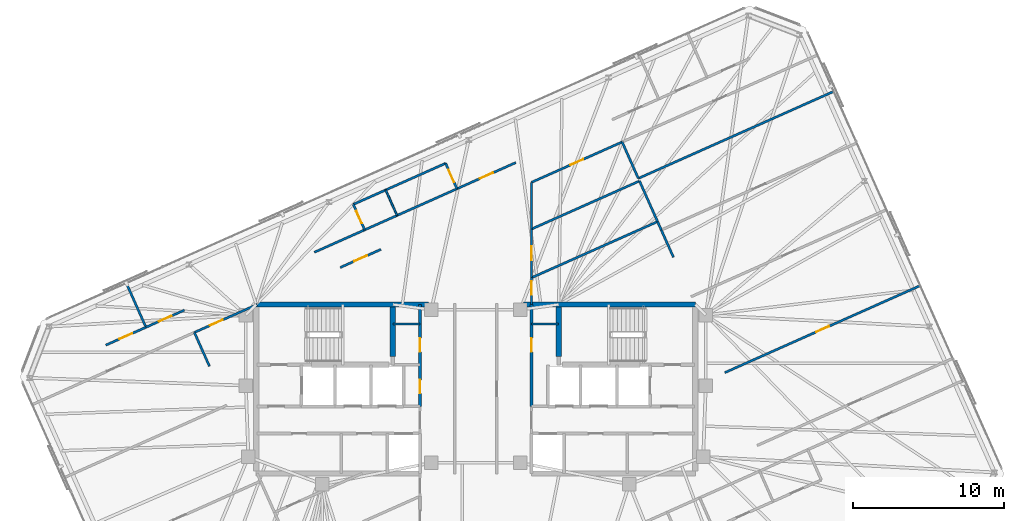
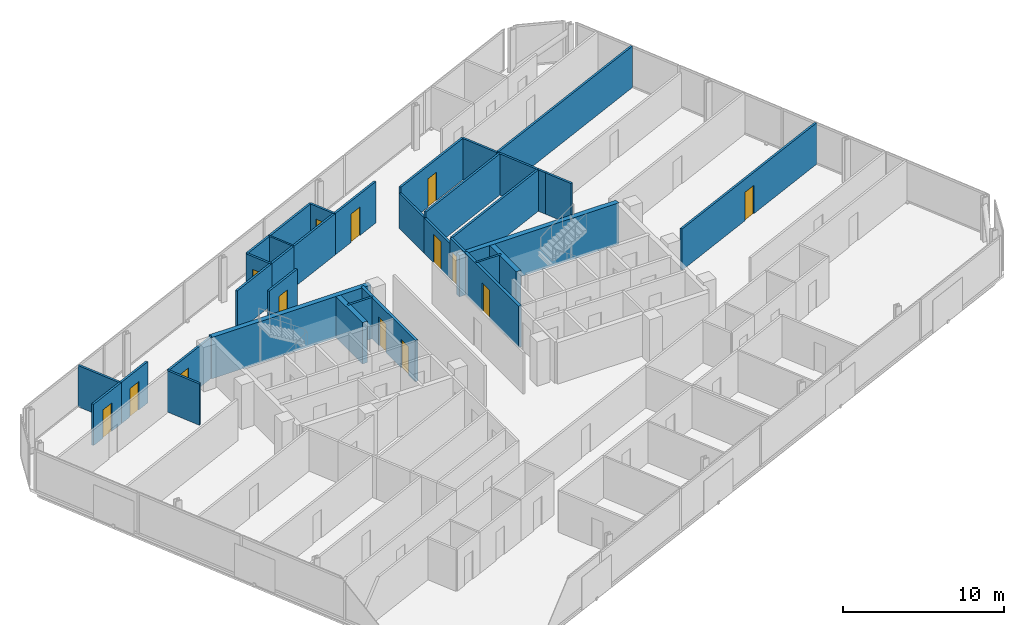
# One storey, part 16 of 19: 35 walls, 14 doors, 14 openings.
"""IFC4 building model written with IfcOpenShell, lengths in metres."""

from ifc_helpers import new_model, si_unit, direction, frame, frame_2d, origin, place, context, subcontext, project, spatial, rectangle, extrude, material, layer, layer_set, type_object, element, fill, save


model = new_model("IFC4")

# Units and contexts
model_context = context("Model", 3, precision=1e-05, world=origin(), true_north=direction((0.0, 1.0)))
body_context = subcontext(model_context, "Body", "Model", "MODEL_VIEW")
ifc_project = project(units=[si_unit("LENGTHUNIT", "METRE"), si_unit("AREAUNIT", "SQUARE_METRE"), si_unit("VOLUMEUNIT", "CUBIC_METRE"), si_unit("PLANEANGLEUNIT", "RADIAN"), si_unit("MASSUNIT", "GRAM", prefix="KILO")], contexts=[model_context])

# Site, building, storey
site_placement = place(None, origin())
site = spatial("IfcSite", under=ifc_project, at=site_placement, CompositionType="ELEMENT")
building_placement = place(site_placement, origin())
building = spatial("IfcBuilding", under=site, at=building_placement, Name="Menara Jurai Vektor", CompositionType="ELEMENT")
storey_placement = place(building_placement, frame((0.0, 0.0, 281.89990234375)))
storey = spatial("IfcBuildingStorey", under=building, at=storey_placement, Name="L75", CompositionType="ELEMENT", Elevation=281.89990234375)

# Walls
ifc_material_1 = material(Name="Gypsum Fireboard Partition", Category="gypsum")
ifc_layer_1 = layer(ifc_material_1, 0.14990234375)
ifc_layer_set_1 = layer_set([ifc_layer_1], Name="Gypsum Fireboard Partition")
wall_type_1 = type_object("IfcWallType", Name="INT-WALL-CORR-150", PredefinedType="PARTITIONING", material=ifc_layer_set_1)
for number, where, z_axis, x_axis, name in (
    (1, (-5.5, 4.300048828125, 0.0), (0.0, 0.0, 1.0), (1.0, 0.0, 0.0), "Interior Wall IW-150 L75"),
    (2, (3.699951171875, 4.300048828125, 0.0), (0.0, 0.0, 1.0), (1.0, 0.0, 0.0), "Interior Wall IW-150 L75"),
):
    element("IfcWall", number, at=place(storey_placement, frame(where, z_axis=z_axis, x_axis=x_axis)), inside=storey, type_object=wall_type_1, Name=name, PredefinedType="PARTITIONING", context=body_context, shape_type="SweptSolid", body=[
        extrude(rectangle(XDim=1.800048828125, YDim=0.14990234375, at=frame_2d((0.89990234375, 0.0))), origin(), (0.0, 0.0, 1.0), 3.125),
    ])
wall_1_placement = place(storey_placement, frame((-10.703369140625, 9.0634765625, 0.0), z_axis=(0.0, 0.0, 1.0), x_axis=(0.913543802, 0.40674036169, 0.0)))
element("IfcWall", 3, at=wall_1_placement, inside=storey, type_object=wall_type_1, Name="Interior Wall IW-150 L75", PredefinedType="PARTITIONING", context=body_context, shape_type="SweptSolid", body=[
    extrude(rectangle(XDim=3.650146484375, YDim=0.14990234375, at=frame_2d((1.8251953125, 0.0))), origin(), (0.0, 0.0, 1.0), 3.125),
])

# Wall, opening, door
wall_2_placement = place(storey_placement, frame((-1.248291015625, 13.273193359375, 0.0), z_axis=(0.0, 0.0, 1.0), x_axis=(0.913549402293, 0.40672778313, 0.0)))
wall_2 = element("IfcWall", 4, at=wall_2_placement, inside=storey, type_object=wall_type_1, Name="Interior Wall IW-150 L75", PredefinedType="PARTITIONING", context=body_context, shape_type="SweptSolid", body=[
    extrude(rectangle(XDim=4.26611328125, YDim=0.14990234375, at=frame_2d((2.133056640625, 0.0))), origin(), (0.0, 0.0, 1.0), 3.125),
])
opening_1_placement = place(wall_2_placement, frame((1.657958984375, 0.0, 0.0)))
opening_1 = element("IfcOpeningElement", 5, at=opening_1_placement, cuts=wall_2, Name="Opening D75-09", PredefinedType="OPENING", context=body_context, shape_type="SweptSolid", body=[
    extrude(rectangle(XDim=0.949951171875, YDim=2.14990234375, at=frame_2d((0.47509765625, 1.074951171875))), frame((0.0, 0.0849609375, 0.0), z_axis=(0.0, -1.0, 0.0), x_axis=(1.0, 0.0, 0.0)), (0.0, 0.0, 1.0), 0.169921875),
])
ifc_material_2 = material(Name="Solid Core Timber Fire Door", Category="wood")
door_type_1 = type_object("IfcDoorType", Name="DR-ENTRY-950", OperationType="NOTDEFINED", PredefinedType="DOOR", material=ifc_material_2)
door_1_placement = place(opening_1_placement, origin())
door_1 = element("IfcDoor", 6, at=door_1_placement, inside=storey, type_object=door_type_1, Name="Interior Door D75-09", OperationType="SINGLE_SWING_RIGHT", OverallHeight=2.14990234375, OverallWidth=0.949951171875, PredefinedType="DOOR", context=body_context, shape_type="SweptSolid", body=[
    extrude(rectangle(XDim=0.949951171875, YDim=2.14990234375, at=frame_2d((0.47509765625, 1.074951171875))), frame((0.0, 0.02490234375, 0.0), z_axis=(0.0, -1.0, 0.0), x_axis=(1.0, 0.0, 0.0)), (0.0, 0.0, 1.0), 0.050048828125),
])
fill(opening_1, door_1)

# Walls
wall_3_placement = place(storey_placement, frame((-7.368896484375, 10.548095703125, 0.0), z_axis=(0.0, 0.0, 1.0), x_axis=(0.913541436194, 0.406745675276, 0.0)))
element("IfcWall", 7, at=wall_3_placement, inside=storey, type_object=wall_type_1, Name="Interior Wall IW-150 L75", PredefinedType="PARTITIONING", context=body_context, shape_type="SweptSolid", body=[
    extrude(rectangle(XDim=2.349853515625, YDim=0.14990234375, at=frame_2d((1.1748046875, 0.0))), origin(), (0.0, 0.0, 1.0), 3.125),
])
wall_4_placement = place(storey_placement, frame((-5.22216796875, 11.50390625, 0.0), z_axis=(0.0, 0.0, 1.0), x_axis=(0.913545193015, 0.406737237438, 0.0)))
element("IfcWall", 8, at=wall_4_placement, inside=storey, type_object=wall_type_1, Name="Interior Wall IW-150 L75", PredefinedType="PARTITIONING", context=body_context, shape_type="SweptSolid", body=[
    extrude(rectangle(XDim=4.349853515625, YDim=0.14990234375, at=frame_2d((2.1748046875, 0.0))), origin(), (0.0, 0.0, 1.0), 3.125),
])

# Wall, opening, door
wall_5_placement = place(storey_placement, frame((-24.531005859375, 2.906982421875, 0.0), z_axis=(0.0, 0.0, 1.0), x_axis=(0.913531130744, 0.406768820292, 0.0)))
wall_5 = element("IfcWall", 9, at=wall_5_placement, inside=storey, type_object=wall_type_1, Name="Interior Wall IW-150 L75", PredefinedType="PARTITIONING", context=body_context, shape_type="SweptSolid", body=[
    extrude(rectangle(XDim=2.910400390625, YDim=0.14990234375, at=frame_2d((1.455078125, 0.0))), origin(), (0.0, 0.0, 1.0), 3.125),
])
opening_2_placement = place(wall_5_placement, frame((0.9951171875, 0.0, 0.0)))
opening_2 = element("IfcOpeningElement", 10, at=opening_2_placement, cuts=wall_5, Name="Opening D75-30", PredefinedType="OPENING", context=body_context, shape_type="SweptSolid", body=[
    extrude(rectangle(XDim=0.919921875, YDim=2.14990234375, at=frame_2d((0.4599609375, 1.074951171875))), frame((0.0, 0.0849609375, 0.0), z_axis=(0.0, -1.0, 0.0), x_axis=(1.0, 0.0, 0.0)), (0.0, 0.0, 1.0), 0.169921875),
])
door_2_placement = place(opening_2_placement, origin())
door_2 = element("IfcDoor", 11, at=door_2_placement, inside=storey, type_object=door_type_1, Name="Interior Door D75-30", OperationType="SINGLE_SWING_LEFT", OverallHeight=2.14990234375, OverallWidth=0.919921875, PredefinedType="DOOR", context=body_context, shape_type="SweptSolid", body=[
    extrude(rectangle(XDim=0.919921875, YDim=2.14990234375, at=frame_2d((0.4599609375, 1.074951171875))), frame((0.0, 0.02490234375, 0.0), z_axis=(0.0, -1.0, 0.0), x_axis=(1.0, 0.0, 0.0)), (0.0, 0.0, 1.0), 0.050048828125),
])
fill(opening_2, door_2)

wall_6_placement = place(storey_placement, frame((-21.872314453125, 4.0908203125, 0.0), z_axis=(0.0, 0.0, 1.0), x_axis=(0.913559116966, 0.406705962346, 0.0)))
wall_6 = element("IfcWall", 12, at=wall_6_placement, inside=storey, type_object=wall_type_1, Name="Interior Wall IW-150 L75", PredefinedType="PARTITIONING", context=body_context, shape_type="SweptSolid", body=[
    extrude(rectangle(XDim=2.793701171875, YDim=0.14990234375, at=frame_2d((1.39697265625, 0.0))), origin(), (0.0, 0.0, 1.0), 3.125),
])
opening_3_placement = place(wall_6_placement, frame((0.93701171875, 0.0, 0.0)))
opening_3 = element("IfcOpeningElement", 13, at=opening_3_placement, cuts=wall_6, Name="Opening D75-31", PredefinedType="OPENING", context=body_context, shape_type="SweptSolid", body=[
    extrude(rectangle(XDim=0.919921875, YDim=2.14990234375, at=frame_2d((0.4599609375, 1.074951171875))), frame((0.0, 0.0849609375, 0.0), z_axis=(0.0, -1.0, 0.0), x_axis=(1.0, 0.0, 0.0)), (0.0, 0.0, 1.0), 0.169921875),
])
door_3_placement = place(opening_3_placement, origin())
door_3 = element("IfcDoor", 14, at=door_3_placement, inside=storey, type_object=door_type_1, Name="Interior Door D75-31", OperationType="SINGLE_SWING_RIGHT", OverallHeight=2.14990234375, OverallWidth=0.919921875, PredefinedType="DOOR", context=body_context, shape_type="SweptSolid", body=[
    extrude(rectangle(XDim=0.919921875, YDim=2.14990234375, at=frame_2d((0.4599609375, 1.074951171875))), frame((0.0, 0.02490234375, 0.0), z_axis=(0.0, -1.0, 0.0), x_axis=(1.0, 0.0, 0.0)), (0.0, 0.0, 1.0), 0.050048828125),
])
fill(opening_3, door_3)

wall_7_placement = place(storey_placement, frame((3.7001953125, 5.6005859375, 0.0), z_axis=(0.0, 0.0, 1.0), x_axis=(0.0, 1.0, 0.0)))
wall_7 = element("IfcWall", 15, at=wall_7_placement, inside=storey, type_object=wall_type_1, Name="Interior Wall IW-150 L75", PredefinedType="PARTITIONING", context=body_context, shape_type="SweptSolid", body=[
    extrude(rectangle(XDim=1.775390625, YDim=0.14990234375, at=frame_2d((0.8876953125, 0.0))), origin(), (0.0, 0.0, 1.0), 3.125),
])
opening_4_placement = place(wall_7_placement, frame((0.635498046875, 0.0, 0.0)))
opening_4 = element("IfcOpeningElement", 16, at=opening_4_placement, cuts=wall_7, Name="Opening D75-37", PredefinedType="OPENING", context=body_context, shape_type="SweptSolid", body=[
    extrude(rectangle(XDim=0.919921875, YDim=2.14990234375, at=frame_2d((0.4599609375, 1.074951171875))), frame((0.0, 0.0849609375, 0.0), z_axis=(0.0, -1.0, 0.0), x_axis=(1.0, 0.0, 0.0)), (0.0, 0.0, 1.0), 0.169921875),
])
door_4_placement = place(opening_4_placement, origin())
door_4 = element("IfcDoor", 17, at=door_4_placement, inside=storey, type_object=door_type_1, Name="Interior Door D75-37", OperationType="SINGLE_SWING_RIGHT", OverallHeight=2.14990234375, OverallWidth=0.919921875, PredefinedType="DOOR", context=body_context, shape_type="SweptSolid", body=[
    extrude(rectangle(XDim=0.919921875, YDim=2.14990234375, at=frame_2d((0.4599609375, 1.074951171875))), frame((0.0, 0.02490234375, 0.0), z_axis=(0.0, -1.0, 0.0), x_axis=(1.0, 0.0, 0.0)), (0.0, 0.0, 1.0), 0.050048828125),
])
fill(opening_4, door_4)

wall_8_placement = place(storey_placement, frame((3.69970703125, 13.702880859375, 0.0), z_axis=(0.0, 0.0, 1.0), x_axis=(0.913549363376, 0.406727870542, 0.0)))
wall_8 = element("IfcWall", 18, at=wall_8_placement, inside=storey, type_object=wall_type_1, Name="Interior Wall IW-150 L75", PredefinedType="PARTITIONING", context=body_context, shape_type="SweptSolid", body=[
    extrude(rectangle(XDim=6.571044921875, YDim=0.14990234375, at=frame_2d((3.28564453125, 0.0))), origin(), (0.0, 0.0, 1.0), 3.125),
])
opening_5_placement = place(wall_8_placement, frame((2.825439453125, 0.0, 0.0)))
opening_5 = element("IfcOpeningElement", 19, at=opening_5_placement, cuts=wall_8, Name="Opening D75-39", PredefinedType="OPENING", context=body_context, shape_type="SweptSolid", body=[
    extrude(rectangle(XDim=0.919921875, YDim=2.14990234375, at=frame_2d((0.4599609375, 1.074951171875))), frame((0.0, 0.0849609375, 0.0), z_axis=(0.0, -1.0, 0.0), x_axis=(1.0, 0.0, 0.0)), (0.0, 0.0, 1.0), 0.169921875),
])
door_5_placement = place(opening_5_placement, origin())
door_5 = element("IfcDoor", 20, at=door_5_placement, inside=storey, type_object=door_type_1, Name="Interior Door D75-39", OperationType="SINGLE_SWING_RIGHT", OverallHeight=2.14990234375, OverallWidth=0.919921875, PredefinedType="DOOR", context=body_context, shape_type="SweptSolid", body=[
    extrude(rectangle(XDim=0.919921875, YDim=2.14990234375, at=frame_2d((0.4599609375, 1.074951171875))), frame((0.0, 0.02490234375, 0.0), z_axis=(0.0, -1.0, 0.0), x_axis=(1.0, 0.0, 0.0)), (0.0, 0.0, 1.0), 0.050048828125),
])
fill(opening_5, door_5)

wall_9_placement = place(storey_placement, frame((-18.6611328125, 3.7470703125, 0.0), z_axis=(0.0, 0.0, 1.0), x_axis=(0.913535055583, 0.40676000568, 0.0)))
wall_9 = element("IfcWall", 21, at=wall_9_placement, inside=storey, type_object=wall_type_1, Name="Interior Wall IW-150 L75", PredefinedType="PARTITIONING", context=body_context, shape_type="SweptSolid", body=[
    extrude(rectangle(XDim=4.554931640625, YDim=0.14990234375, at=frame_2d((2.27734375, 0.0))), origin(), (0.0, 0.0, 1.0), 3.125),
])
opening_6_placement = place(wall_9_placement, frame((1.13427734375, 0.0, 0.0)))
opening_6 = element("IfcOpeningElement", 22, at=opening_6_placement, cuts=wall_9, Name="Opening D75-40", PredefinedType="OPENING", context=body_context, shape_type="SweptSolid", body=[
    extrude(rectangle(XDim=0.919921875, YDim=2.14990234375, at=frame_2d((0.4599609375, 1.074951171875))), frame((0.0, 0.0849609375, 0.0), z_axis=(0.0, -1.0, 0.0), x_axis=(1.0, 0.0, 0.0)), (0.0, 0.0, 1.0), 0.169921875),
])
door_6_placement = place(opening_6_placement, origin())
door_6 = element("IfcDoor", 23, at=door_6_placement, inside=storey, type_object=door_type_1, Name="Interior Door D75-40", OperationType="SINGLE_SWING_LEFT", OverallHeight=2.14990234375, OverallWidth=0.919921875, PredefinedType="DOOR", context=body_context, shape_type="SweptSolid", body=[
    extrude(rectangle(XDim=0.919921875, YDim=2.14990234375, at=frame_2d((0.4599609375, 1.074951171875))), frame((0.0, 0.02490234375, 0.0), z_axis=(0.0, -1.0, 0.0), x_axis=(1.0, 0.0, 0.0)), (0.0, 0.0, 1.0), 0.050048828125),
])
fill(opening_6, door_6)

wall_10_placement = place(storey_placement, frame((-8.9921875, 8.052001953125, 0.0), z_axis=(0.0, 0.0, 1.0), x_axis=(0.913535467925, 0.406759079607, 0.0)))
wall_10 = element("IfcWall", 24, at=wall_10_placement, inside=storey, type_object=wall_type_1, Name="Interior Wall IW-150 L75", PredefinedType="PARTITIONING", context=body_context, shape_type="SweptSolid", body=[
    extrude(rectangle(XDim=2.9560546875, YDim=0.14990234375, at=frame_2d((1.47802734375, 0.0))), origin(), (0.0, 0.0, 1.0), 3.125),
])
opening_7_placement = place(wall_10_placement, frame((1.01806640625, 0.0, 0.0)))
opening_7 = element("IfcOpeningElement", 25, at=opening_7_placement, cuts=wall_10, Name="Opening D75-41", PredefinedType="OPENING", context=body_context, shape_type="SweptSolid", body=[
    extrude(rectangle(XDim=0.919921875, YDim=2.14990234375, at=frame_2d((0.4599609375, 1.074951171875))), frame((0.0, 0.0849609375, 0.0), z_axis=(0.0, -1.0, 0.0), x_axis=(1.0, 0.0, 0.0)), (0.0, 0.0, 1.0), 0.169921875),
])
door_7_placement = place(opening_7_placement, origin())
door_7 = element("IfcDoor", 26, at=door_7_placement, inside=storey, type_object=door_type_1, Name="Interior Door D75-41", OperationType="SINGLE_SWING_RIGHT", OverallHeight=2.14990234375, OverallWidth=0.919921875, PredefinedType="DOOR", context=body_context, shape_type="SweptSolid", body=[
    extrude(rectangle(XDim=0.919921875, YDim=2.14990234375, at=frame_2d((0.4599609375, 1.074951171875))), frame((0.0, 0.02490234375, 0.0), z_axis=(0.0, -1.0, 0.0), x_axis=(1.0, 0.0, 0.0)), (0.0, 0.0, 1.0), 0.050048828125),
])
fill(opening_7, door_7)

wall_11_placement = place(storey_placement, frame((-7.368896484375, 10.548095703125, 0.0), z_axis=(0.0, 0.0, 1.0), x_axis=(-0.406860767979, 0.913490183571, 0.0)))
wall_11 = element("IfcWall", 27, at=wall_11_placement, inside=storey, type_object=wall_type_1, Name="Interior Wall IW-150 L75", PredefinedType="PARTITIONING", context=body_context, shape_type="SweptSolid", body=[
    extrude(rectangle(XDim=1.85009765625, YDim=0.14990234375, at=frame_2d((0.925048828125, 0.0))), origin(), (0.0, 0.0, 1.0), 3.125),
])
opening_8_placement = place(wall_11_placement, frame((0.485107421875, 0.0, 0.0)))
opening_8 = element("IfcOpeningElement", 28, at=opening_8_placement, cuts=wall_11, Name="Opening D75-10", PredefinedType="OPENING", context=body_context, shape_type="SweptSolid", body=[
    extrude(rectangle(XDim=0.8798828125, YDim=2.14990234375, at=frame_2d((0.43994140625, 1.074951171875))), frame((0.0, 0.0849609375, 0.0), z_axis=(0.0, -1.0, 0.0), x_axis=(1.0, 0.0, 0.0)), (0.0, 0.0, 1.0), 0.169921875),
])
ifc_material_3 = material(Name="Moisture-Resistant Timber Door", Category="wood")
door_type_2 = type_object("IfcDoorType", Name="DR-BATH-880", OperationType="NOTDEFINED", PredefinedType="DOOR", material=ifc_material_3)
door_8_placement = place(opening_8_placement, origin())
door_8 = element("IfcDoor", 29, at=door_8_placement, inside=storey, type_object=door_type_2, Name="Interior Door D75-10", OperationType="SINGLE_SWING_LEFT", OverallHeight=2.14990234375, OverallWidth=0.8798828125, PredefinedType="DOOR", context=body_context, shape_type="SweptSolid", body=[
    extrude(rectangle(XDim=0.8798828125, YDim=2.14990234375, at=frame_2d((0.43994140625, 1.074951171875))), frame((0.0, 0.02490234375, 0.0), z_axis=(0.0, -1.0, 0.0), x_axis=(1.0, 0.0, 0.0)), (0.0, 0.0, 1.0), 0.050048828125),
])
fill(opening_8, door_8)

# Walls
wall_12_placement = place(storey_placement, frame((-8.12158203125, 12.238037109375, 0.0), z_axis=(0.0, 0.0, 1.0), x_axis=(0.913558622212, 0.406707073682, 0.0)))
element("IfcWall", 30, at=wall_12_placement, inside=storey, type_object=wall_type_1, Name="Interior Wall IW-150 L75", PredefinedType="PARTITIONING", context=body_context, shape_type="SweptSolid", body=[
    extrude(rectangle(XDim=2.35009765625, YDim=0.14990234375, at=frame_2d((1.175048828125, 0.0))), origin(), (0.0, 0.0, 1.0), 3.125),
])
wall_13_placement = place(storey_placement, frame((-5.974609375, 13.19384765625, 0.0), z_axis=(0.0, 0.0, 1.0), x_axis=(0.913545193015, 0.406737237438, 0.0)))
element("IfcWall", 31, at=wall_13_placement, inside=storey, type_object=wall_type_1, Name="Interior Wall IW-150 L75", PredefinedType="PARTITIONING", context=body_context, shape_type="SweptSolid", body=[
    extrude(rectangle(XDim=4.349853515625, YDim=0.14990234375, at=frame_2d((2.1748046875, 0.0))), origin(), (0.0, 0.0, 1.0), 3.125),
])

# Wall, opening, door
wall_14_placement = place(storey_placement, frame((-1.248291015625, 13.273193359375, 0.0), z_axis=(0.0, 0.0, 1.0), x_axis=(-0.406750635596, 0.913539227643, 0.0)))
wall_14 = element("IfcWall", 32, at=wall_14_placement, inside=storey, type_object=wall_type_1, Name="Interior Wall IW-150 L75", PredefinedType="PARTITIONING", context=body_context, shape_type="SweptSolid", body=[
    extrude(rectangle(XDim=1.849853515625, YDim=0.14990234375, at=frame_2d((0.9248046875, 0.0))), origin(), (0.0, 0.0, 1.0), 3.125),
])
opening_9_placement = place(wall_14_placement, frame((0.47509765625, 0.0, 0.0)))
opening_9 = element("IfcOpeningElement", 33, at=opening_9_placement, cuts=wall_14, Name="Opening D75-11", PredefinedType="OPENING", context=body_context, shape_type="SweptSolid", body=[
    extrude(rectangle(XDim=0.89990234375, YDim=2.14990234375, at=frame_2d((0.449951171875, 1.074951171875))), frame((0.0, 0.0849609375, 0.0), z_axis=(0.0, -1.0, 0.0), x_axis=(1.0, 0.0, 0.0)), (0.0, 0.0, 1.0), 0.169921875),
])
ifc_material_4 = material(Name="Acoustic Timber Interior Door", Category="wood")
door_type_3 = type_object("IfcDoorType", Name="DR-ROOM-900", OperationType="NOTDEFINED", PredefinedType="DOOR", material=ifc_material_4)
door_9_placement = place(opening_9_placement, origin())
door_9 = element("IfcDoor", 34, at=door_9_placement, inside=storey, type_object=door_type_3, Name="Interior Door D75-11", OperationType="SINGLE_SWING_RIGHT", OverallHeight=2.14990234375, OverallWidth=0.89990234375, PredefinedType="DOOR", context=body_context, shape_type="SweptSolid", body=[
    extrude(rectangle(XDim=0.89990234375, YDim=2.14990234375, at=frame_2d((0.449951171875, 1.074951171875))), frame((0.0, 0.02490234375, 0.0), z_axis=(0.0, -1.0, 0.0), x_axis=(1.0, 0.0, 0.0)), (0.0, 0.0, 1.0), 0.050048828125),
])
fill(opening_9, door_9)

# Walls
wall_15_placement = place(storey_placement, frame((-17.66259765625, 1.50439453125, 0.0), z_axis=(0.0, 0.0, 1.0), x_axis=(-0.406747374275, 0.913540679729, 0.0)))
element("IfcWall", 35, at=wall_15_placement, inside=storey, type_object=wall_type_1, Name="Interior Wall IW-150 L75", PredefinedType="PARTITIONING", context=body_context, shape_type="SweptSolid", body=[
    extrude(rectangle(XDim=2.454833984375, YDim=0.14990234375, at=frame_2d((1.2275390625, 0.0))), origin(), (0.0, 0.0, 1.0), 3.125),
])
wall_16_placement = place(storey_placement, frame((-21.872314453125, 4.0908203125, 0.0), z_axis=(0.0, 0.0, 1.0), x_axis=(-0.406761717745, 0.913534293268, 0.0)))
element("IfcWall", 36, at=wall_16_placement, inside=storey, type_object=wall_type_1, Name="Interior Wall IW-150 L75", PredefinedType="PARTITIONING", context=body_context, shape_type="SweptSolid", body=[
    extrude(rectangle(XDim=3.197998046875, YDim=0.14990234375, at=frame_2d((1.59912109375, 0.0))), origin(), (0.0, 0.0, 1.0), 3.125),
])
wall_17_placement = place(storey_placement, frame((3.7001953125, 7.3759765625, 0.0), z_axis=(0.0, 0.0, 1.0), x_axis=(0.91354490899, 0.406737875367, 0.0)))
element("IfcWall", 37, at=wall_17_placement, inside=storey, type_object=wall_type_1, Name="Interior Wall IW-150 L75", PredefinedType="PARTITIONING", context=body_context, shape_type="SweptSolid", body=[
    extrude(rectangle(XDim=9.14404296875, YDim=0.14990234375, at=frame_2d((4.572021484375, 0.0))), origin(), (0.0, 0.0, 1.0), 3.125),
])
wall_18_placement = place(storey_placement, frame((13.108642578125, 8.7255859375, 0.0), z_axis=(0.0, 0.0, 1.0), x_axis=(-0.406788519224, 0.913522359128, 0.0)))
element("IfcWall", 38, at=wall_18_placement, inside=storey, type_object=wall_type_1, Name="Interior Wall IW-150 L75", PredefinedType="PARTITIONING", context=body_context, shape_type="SweptSolid", body=[
    extrude(rectangle(XDim=1.98583984375, YDim=0.14990234375, at=frame_2d((0.992919921875, 0.0))), origin(), (0.0, 0.0, 1.0), 3.125),
])
wall_19_placement = place(storey_placement, frame((12.30078125, 10.539794921875, 0.0), z_axis=(0.0, 0.0, 1.0), x_axis=(-0.406436552015, 0.913679007741, 0.0)))
element("IfcWall", 39, at=wall_19_placement, inside=storey, type_object=wall_type_1, Name="Interior Wall IW-150 L75", PredefinedType="PARTITIONING", context=body_context, shape_type="SweptSolid", body=[
    extrude(rectangle(XDim=0.60791015625, YDim=0.14990234375, at=frame_2d((0.303955078125, 0.0))), origin(), (0.0, 0.0, 1.0), 3.125),
])
wall_20_placement = place(storey_placement, frame((3.7001953125, 10.60400390625, 0.0), z_axis=(0.0, 0.0, 1.0), x_axis=(0.913534926439, 0.406760295722, 0.0)))
element("IfcWall", 40, at=wall_20_placement, inside=storey, type_object=wall_type_1, Name="Interior Wall IW-150 L75", PredefinedType="PARTITIONING", context=body_context, shape_type="SweptSolid", body=[
    extrude(rectangle(XDim=7.830810546875, YDim=0.14990234375, at=frame_2d((3.91552734375, 0.0))), origin(), (0.0, 0.0, 1.0), 3.125),
])
wall_21_placement = place(storey_placement, frame((12.0537109375, 11.09521484375, 0.0), z_axis=(0.0, 0.0, 1.0), x_axis=(-0.406798922371, 0.91351772657, 0.0)))
element("IfcWall", 41, at=wall_21_placement, inside=storey, type_object=wall_type_1, Name="Interior Wall IW-150 L75", PredefinedType="PARTITIONING", context=body_context, shape_type="SweptSolid", body=[
    extrude(rectangle(XDim=2.94921875, YDim=0.14990234375, at=frame_2d((1.474609375, 0.0))), origin(), (0.0, 0.0, 1.0), 3.125),
])
wall_22_placement = place(storey_placement, frame((10.777587890625, 13.9609375, 0.0), z_axis=(0.0, 0.0, 1.0), x_axis=(-0.406712614091, 0.913556155657, 0.0)))
element("IfcWall", 42, at=wall_22_placement, inside=storey, type_object=wall_type_1, Name="Interior Wall IW-150 L75", PredefinedType="PARTITIONING", context=body_context, shape_type="SweptSolid", body=[
    extrude(rectangle(XDim=2.64306640625, YDim=0.14990234375, at=frame_2d((1.321533203125, 0.0))), origin(), (0.0, 0.0, 1.0), 3.125),
])

# Wall, opening, door
wall_23_placement = place(storey_placement, frame((16.51171875, 1.081787109375, 0.0), z_axis=(0.0, 0.0, 1.0), x_axis=(0.913544622417, 0.406738519018, 0.0)))
wall_23 = element("IfcWall", 43, at=wall_23_placement, inside=storey, type_object=wall_type_1, Name="Interior Wall IW-150 L75", PredefinedType="PARTITIONING", context=body_context, shape_type="SweptSolid", body=[
    extrude(rectangle(XDim=14.192138671875, YDim=0.14990234375, at=frame_2d((7.09619140625, 0.0))), origin(), (0.0, 0.0, 1.0), 3.125),
])
opening_10_placement = place(wall_23_placement, frame((6.635986328125, 0.0, 0.0)))
opening_10 = element("IfcOpeningElement", 44, at=opening_10_placement, cuts=wall_23, Name="Opening D75-43", PredefinedType="OPENING", context=body_context, shape_type="SweptSolid", body=[
    extrude(rectangle(XDim=0.919921875, YDim=2.14990234375, at=frame_2d((0.4599609375, 1.074951171875))), frame((0.0, 0.0849609375, 0.0), z_axis=(0.0, -1.0, 0.0), x_axis=(1.0, 0.0, 0.0)), (0.0, 0.0, 1.0), 0.169921875),
])
door_10_placement = place(opening_10_placement, origin())
door_10 = element("IfcDoor", 45, at=door_10_placement, inside=storey, type_object=door_type_1, Name="Interior Door D75-43", OperationType="SINGLE_SWING_RIGHT", OverallHeight=2.14990234375, OverallWidth=0.919921875, PredefinedType="DOOR", context=body_context, shape_type="SweptSolid", body=[
    extrude(rectangle(XDim=0.919921875, YDim=2.14990234375, at=frame_2d((0.4599609375, 1.074951171875))), frame((0.0, 0.02490234375, 0.0), z_axis=(0.0, -1.0, 0.0), x_axis=(1.0, 0.0, 0.0)), (0.0, 0.0, 1.0), 0.050048828125),
])
fill(opening_10, door_10)

# Wall
wall_24_placement = place(storey_placement, frame((10.777587890625, 13.9609375, 0.0), z_axis=(0.0, 0.0, 1.0), x_axis=(0.913544622417, 0.406738519018, 0.0)))
element("IfcWall", 46, at=wall_24_placement, inside=storey, type_object=wall_type_1, Name="Interior Wall IW-150 L75", PredefinedType="PARTITIONING", context=body_context, shape_type="SweptSolid", body=[
    extrude(rectangle(XDim=14.192138671875, YDim=0.14990234375, at=frame_2d((7.09619140625, 0.0))), origin(), (0.0, 0.0, 1.0), 3.125),
])

# Wall, opening, door
ifc_layer_2 = layer(ifc_material_1, 0.14990234375)
ifc_layer_set_2 = layer_set([ifc_layer_2], Name="Gypsum Fireboard Partition")
wall_type_2 = type_object("IfcWallType", Name="INT-WALL-CORR-150-H1", PredefinedType="PARTITIONING", material=ifc_layer_set_2)
wall_25_placement = place(storey_placement, frame((3.7001953125, 7.3759765625, 0.0), z_axis=(0.0, 0.0, 1.0), x_axis=(0.0, 1.0, 0.0)))
wall_25 = element("IfcWall", 47, at=wall_25_placement, inside=storey, type_object=wall_type_2, Name="Interior Wall IW-150 L75", PredefinedType="PARTITIONING", context=body_context, shape_type="SweptSolid", body=[
    extrude(rectangle(XDim=3.22802734375, YDim=0.14990234375, at=frame_2d((1.614013671875, 0.0))), origin(), (0.0, 0.0, 1.0), 2.675048828125),
])
opening_11_placement = place(wall_25_placement, frame((1.154052734375, 0.0, 0.0)))
opening_11 = element("IfcOpeningElement", 48, at=opening_11_placement, cuts=wall_25, Name="Opening D75-38", PredefinedType="OPENING", context=body_context, shape_type="SweptSolid", body=[
    extrude(rectangle(XDim=0.919921875, YDim=2.14990234375, at=frame_2d((0.4599609375, 1.074951171875))), frame((0.0, 0.0849609375, 0.0), z_axis=(0.0, -1.0, 0.0), x_axis=(1.0, 0.0, 0.0)), (0.0, 0.0, 1.0), 0.169921875),
])
door_11_placement = place(opening_11_placement, origin())
door_11 = element("IfcDoor", 49, at=door_11_placement, inside=storey, type_object=door_type_1, Name="Interior Door D75-38", OperationType="SINGLE_SWING_LEFT", OverallHeight=2.14990234375, OverallWidth=0.919921875, PredefinedType="DOOR", context=body_context, shape_type="SweptSolid", body=[
    extrude(rectangle(XDim=0.919921875, YDim=2.14990234375, at=frame_2d((0.4599609375, 1.074951171875))), frame((0.0, 0.02490234375, 0.0), z_axis=(0.0, -1.0, 0.0), x_axis=(1.0, 0.0, 0.0)), (0.0, 0.0, 1.0), 0.050048828125),
])
fill(opening_11, door_11)

# Walls
wall_26_placement = place(storey_placement, frame((3.7001953125, 10.60400390625, 0.0), z_axis=(0.0, 0.0, 1.0), x_axis=(-0.000157567161, 0.999999987586, 0.0)))
element("IfcWall", 50, at=wall_26_placement, inside=storey, type_object=wall_type_2, Name="Interior Wall IW-150 L75", PredefinedType="PARTITIONING", context=body_context, shape_type="SweptSolid", body=[
    extrude(rectangle(XDim=3.098876953125, YDim=0.14990234375, at=frame_2d((1.54931640625, 0.0))), origin(), (0.0, 0.0, 1.0), 2.675048828125),
])
ifc_material_5 = material(Name="Gypsum Acoustic Stud Partition", Category="gypsum")
ifc_layer_3 = layer(ifc_material_5, 0.1201171875)
ifc_layer_set_3 = layer_set([ifc_layer_3], Name="Gypsum Acoustic Stud Partition")
wall_type_3 = type_object("IfcWallType", Name="INT-WALL-PART-120", PredefinedType="PARTITIONING", material=ifc_layer_set_3)
wall_27_placement = place(storey_placement, frame((-5.22216796875, 11.50390625, 0.0), z_axis=(0.0, 0.0, 1.0), x_axis=(-0.406750635596, 0.913539227643, 0.0)))
element("IfcWall", 51, at=wall_27_placement, inside=storey, type_object=wall_type_3, Name="Interior Wall IW-120 L75", PredefinedType="PARTITIONING", context=body_context, shape_type="SweptSolid", body=[
    extrude(rectangle(XDim=1.849853515625, YDim=0.1201171875, at=frame_2d((0.9248046875, 0.0))), origin(), (0.0, 0.0, 1.0), 3.125),
])

# Wall, openings, doors
ifc_material_6 = material(Name="Concrete C40/50", Category="concrete")
ifc_layer_4 = layer(ifc_material_6, 0.199951171875)
ifc_layer_set_4 = layer_set([ifc_layer_4], Name="Concrete C40/50")
wall_type_4 = type_object("IfcWallType", Name="INT-WALL-SHAFT-200", PredefinedType="STANDARD", material=ifc_layer_set_4)
wall_28_placement = place(storey_placement, frame((-3.699951171875, -1.14990234375, 0.0), z_axis=(0.0, 0.0, 1.0), x_axis=(0.0, 1.0, 0.0)))
wall_28 = element("IfcWall", 52, at=wall_28_placement, inside=storey, type_object=wall_type_4, Name="Interior Wall IW-200 L75", PredefinedType="STANDARD", context=body_context, shape_type="SweptSolid", body=[
    extrude(rectangle(XDim=6.75, YDim=0.199951171875, at=frame_2d((3.375, 0.0))), origin(), (0.0, 0.0, 1.0), 3.125),
])
opening_12_placement = place(wall_28_placement, frame((3.60009765625, 0.0, 0.0)))
opening_12 = element("IfcOpeningElement", 53, at=opening_12_placement, cuts=wall_28, Name="Opening D75-03", PredefinedType="OPENING", context=body_context, shape_type="SweptSolid", body=[
    extrude(rectangle(XDim=0.919921875, YDim=2.14990234375, at=frame_2d((0.4599609375, 1.074951171875))), frame((0.0, 0.10986328125, 0.0), z_axis=(0.0, -1.0, 0.0), x_axis=(1.0, 0.0, 0.0)), (0.0, 0.0, 1.0), 0.219970703125),
])
opening_13_placement = place(wall_28_placement, frame((0.85009765625, 0.0, 0.0)))
opening_13 = element("IfcOpeningElement", 54, at=opening_13_placement, cuts=wall_28, Name="Opening D75-04", PredefinedType="OPENING", context=body_context, shape_type="SweptSolid", body=[
    extrude(rectangle(XDim=0.89990234375, YDim=2.14990234375, at=frame_2d((0.449951171875, 1.074951171875))), frame((0.0, 0.10986328125, 0.0), z_axis=(0.0, -1.0, 0.0), x_axis=(1.0, 0.0, 0.0)), (0.0, 0.0, 1.0), 0.219970703125),
])
door_12_placement = place(opening_12_placement, origin())
door_12 = element("IfcDoor", 55, at=door_12_placement, inside=storey, type_object=door_type_1, Name="Interior Door D75-03", OperationType="SINGLE_SWING_LEFT", OverallHeight=2.14990234375, OverallWidth=0.919921875, PredefinedType="DOOR", context=body_context, shape_type="SweptSolid", body=[
    extrude(rectangle(XDim=0.919921875, YDim=2.14990234375, at=frame_2d((0.4599609375, 1.074951171875))), frame((0.0, 0.02490234375, 0.0), z_axis=(0.0, -1.0, 0.0), x_axis=(1.0, 0.0, 0.0)), (0.0, 0.0, 1.0), 0.050048828125),
])
fill(opening_12, door_12)
door_13_placement = place(opening_13_placement, origin())
door_13 = element("IfcDoor", 56, at=door_13_placement, inside=storey, type_object=door_type_1, Name="Interior Door D75-04", OperationType="SINGLE_SWING_LEFT", OverallHeight=2.14990234375, OverallWidth=0.89990234375, PredefinedType="DOOR", context=body_context, shape_type="SweptSolid", body=[
    extrude(rectangle(XDim=0.89990234375, YDim=2.14990234375, at=frame_2d((0.449951171875, 1.074951171875))), frame((0.0, 0.02490234375, 0.0), z_axis=(0.0, -1.0, 0.0), x_axis=(1.0, 0.0, 0.0)), (0.0, 0.0, 1.0), 0.050048828125),
])
fill(opening_13, door_13)

# Wall, opening, door
wall_29_placement = place(storey_placement, frame((3.699951171875, -1.14990234375, 0.0), z_axis=(0.0, 0.0, 1.0), x_axis=(0.0, 1.0, 0.0)))
wall_29 = element("IfcWall", 57, at=wall_29_placement, inside=storey, type_object=wall_type_4, Name="Interior Wall IW-200 L75", PredefinedType="STANDARD", context=body_context, shape_type="SweptSolid", body=[
    extrude(rectangle(XDim=6.75, YDim=0.199951171875, at=frame_2d((3.375, 0.0))), origin(), (0.0, 0.0, 1.0), 3.125),
])
opening_14_placement = place(wall_29_placement, frame((3.60009765625, 0.0, 0.0)))
opening_14 = element("IfcOpeningElement", 58, at=opening_14_placement, cuts=wall_29, Name="Opening D75-07", PredefinedType="OPENING", context=body_context, shape_type="SweptSolid", body=[
    extrude(rectangle(XDim=0.919921875, YDim=2.14990234375, at=frame_2d((0.4599609375, 1.074951171875))), frame((0.0, 0.10986328125, 0.0), z_axis=(0.0, -1.0, 0.0), x_axis=(1.0, 0.0, 0.0)), (0.0, 0.0, 1.0), 0.219970703125),
])
door_14_placement = place(opening_14_placement, origin())
door_14 = element("IfcDoor", 59, at=door_14_placement, inside=storey, type_object=door_type_1, Name="Interior Door D75-07", OperationType="SINGLE_SWING_RIGHT", OverallHeight=2.14990234375, OverallWidth=0.919921875, PredefinedType="DOOR", context=body_context, shape_type="SweptSolid", body=[
    extrude(rectangle(XDim=0.919921875, YDim=2.14990234375, at=frame_2d((0.4599609375, 1.074951171875))), frame((0.0, 0.02490234375, 0.0), z_axis=(0.0, -1.0, 0.0), x_axis=(1.0, 0.0, 0.0)), (0.0, 0.0, 1.0), 0.050048828125),
])
fill(opening_14, door_14)

# Walls
ifc_material_7 = material(Name="Concrete C50/60", Category="concrete")
ifc_layer_5 = layer(ifc_material_7, 0.35009765625)
ifc_layer_set_5 = layer_set([ifc_layer_5], Name="Concrete C50/60")
wall_type_5 = type_object("IfcWallType", Name="STR-WALL-CORE350", PredefinedType="SHEAR", material=ifc_layer_set_5)
wall_30_placement = place(storey_placement, frame((-14.56005859375, 5.60009765625, 0.0), z_axis=(0.0, 0.0, 1.0), x_axis=(1.0, 0.0, 0.0)))
element("IfcWall", 60, at=wall_30_placement, inside=storey, type_object=wall_type_5, Name="Core Shear Wall CW-W-N L75", PredefinedType="SHEAR", context=body_context, shape_type="SweptSolid", body=[
    extrude(rectangle(XDim=11.41015625, YDim=0.35009765625, at=frame_2d((5.705078125, 0.0))), origin(), (0.0, 0.0, 1.0), 3.125),
])
wall_31_placement = place(storey_placement, frame((-5.5, 2.14990234375, 0.0), z_axis=(0.0, 0.0, 1.0), x_axis=(0.0, 1.0, 0.0)))
element("IfcWall", 61, at=wall_31_placement, inside=storey, type_object=wall_type_5, Name="Core Shear Wall CW-W-ST L75", PredefinedType="SHEAR", context=body_context, shape_type="SweptSolid", body=[
    extrude(rectangle(XDim=3.275146484375, YDim=0.35009765625, at=frame_2d((1.6376953125, 0.0))), origin(), (0.0, 0.0, 1.0), 3.125),
])
wall_32_placement = place(storey_placement, frame((3.14990234375, 5.60009765625, 0.0), z_axis=(0.0, 0.0, 1.0), x_axis=(1.0, 0.0, 0.0)))
element("IfcWall", 62, at=wall_32_placement, inside=storey, type_object=wall_type_5, Name="Core Shear Wall CW-E-N L75", PredefinedType="SHEAR", context=body_context, shape_type="SweptSolid", body=[
    extrude(rectangle(XDim=11.41015625, YDim=0.35009765625, at=frame_2d((5.705078125, 0.0))), origin(), (0.0, 0.0, 1.0), 3.125),
])
wall_33_placement = place(storey_placement, frame((5.5, 2.14990234375, 0.0), z_axis=(0.0, 0.0, 1.0), x_axis=(0.0, 1.0, 0.0)))
element("IfcWall", 63, at=wall_33_placement, inside=storey, type_object=wall_type_5, Name="Core Shear Wall CW-E-ST L75", PredefinedType="SHEAR", context=body_context, shape_type="SweptSolid", body=[
    extrude(rectangle(XDim=3.275146484375, YDim=0.35009765625, at=frame_2d((1.6376953125, 0.0))), origin(), (0.0, 0.0, 1.0), 3.125),
])

save(model, "model.ifc")
